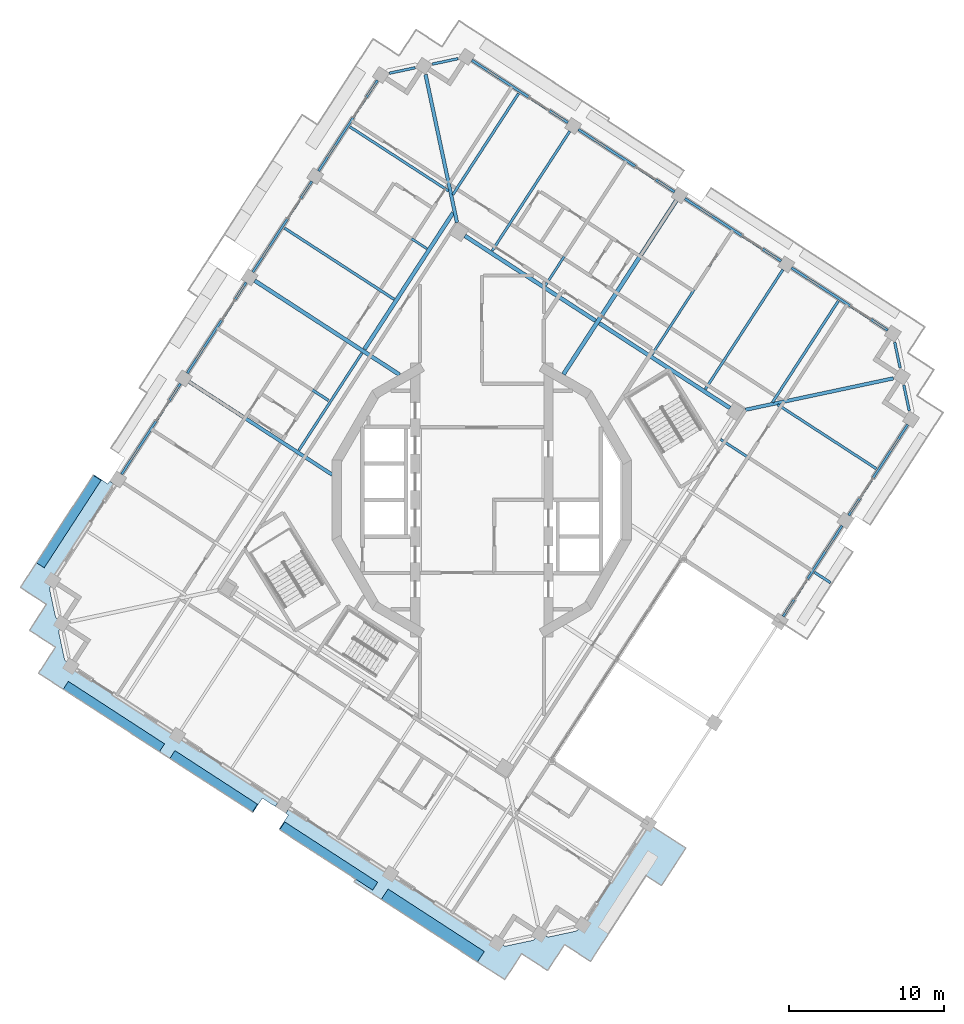
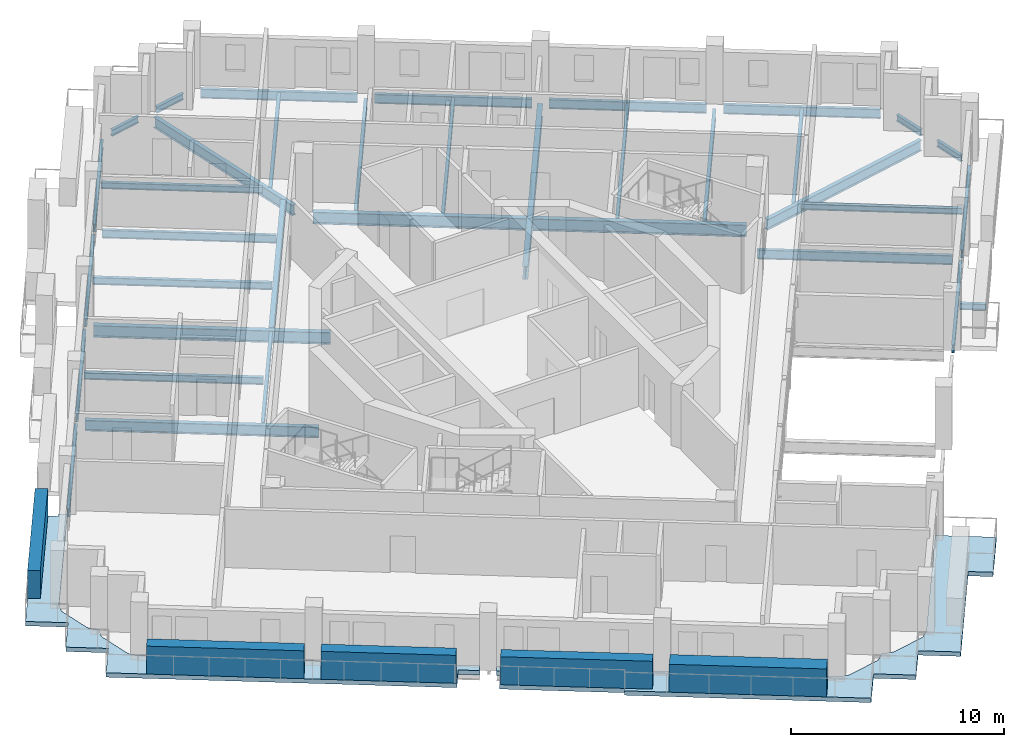
# One storey, part 3 of 17: 36 beams, 5 plates, 2 slabs.
"""IFC4 building model written with IfcOpenShell, lengths in metres."""

from ifc_helpers import new_model, si_unit, direction, frame, origin, origin_2d, place, context, subcontext, project, spatial, polyline, rectangle, i_section, outline, extrude, material, layer, layer_set, material_profile, profile_set, type_object, element, save


model = new_model("IFC4")

# Units and contexts
model_context = context("Model", 3, precision=1e-05, world=origin(), true_north=direction((0.0, 1.0)))
body_context = subcontext(model_context, "Body", "Model", "MODEL_VIEW")
ifc_project = project(units=[si_unit("LENGTHUNIT", "METRE"), si_unit("AREAUNIT", "SQUARE_METRE"), si_unit("VOLUMEUNIT", "CUBIC_METRE"), si_unit("PLANEANGLEUNIT", "RADIAN"), si_unit("MASSUNIT", "GRAM", prefix="KILO")], contexts=[model_context])

# Site, building, storey
site_placement = place(None, origin())
site = spatial("IfcSite", under=ifc_project, at=site_placement, CompositionType="ELEMENT")
building_placement = place(site_placement, origin())
building = spatial("IfcBuilding", under=site, at=building_placement, Name="Cantera Rosa Tower", CompositionType="ELEMENT")
storey_placement = place(building_placement, frame((0.0, 0.0, 257.699951171875)))
storey = spatial("IfcBuildingStorey", under=building, at=storey_placement, Name="L57", CompositionType="ELEMENT", Elevation=257.699951171875)

# Beams
ifc_material_1 = material(Name="Steel ASTM A992 (Fy 345 MPa)", Category="steel")
ifc_material_profile_1 = material_profile(ifc_material_1, i_section(OverallWidth=0.154052734375, OverallDepth=0.4599609375, WebThickness=0.009033203125, FlangeThickness=0.015380859375, FilletRadius=0.01025390625, at=origin_2d()), Name="W460X68")
ifc_profile_set_1 = profile_set([ifc_material_profile_1], Name="Steel ASTM A992 (Fy 345 MPa)")
beam_type_1 = type_object("IfcBeamType", Name="STEEL BEAM W460X68", PredefinedType="BEAM", material=ifc_profile_set_1)
beam_1_placement = place(storey_placement, frame((-10.41748046875, 20.68017578125, -0.47998046875), z_axis=(0.838672777751, -0.544635632198, 0.0), x_axis=(0.544635632198, 0.838672777751, 0.0)))
element("IfcBeam", 1, at=beam_1_placement, inside=storey, type_object=beam_type_1, Name="G-Z5-04 L57", PredefinedType="BEAM", context=body_context, shape_type="SweptSolid", body=[
    extrude(i_section(OverallWidth=0.154052734375, OverallDepth=0.4599609375, WebThickness=0.009033203125, FlangeThickness=0.015380859375, FilletRadius=0.01025390625, at=origin_2d()), origin(), (0.0, 0.0, 1.0), 8.2001953125),
])
ifc_material_2 = material(Name="Steel ASTM A992 (Fy 345 MPa)", Category="steel")
ifc_material_profile_2 = material_profile(ifc_material_2, i_section(OverallWidth=0.166015625, OverallDepth=0.528076171875, WebThickness=0.009765625, FlangeThickness=0.013671875, FilletRadius=0.0126953125, at=origin_2d()), Name="W530X74")
ifc_profile_set_2 = profile_set([ifc_material_profile_2], Name="Steel ASTM A992 (Fy 345 MPa)")
beam_type_2 = type_object("IfcBeamType", Name="STEEL BEAM W530X74", PredefinedType="BEAM", material=ifc_profile_set_2)
beam_2_placement = place(storey_placement, frame((19.430908203125, 14.865234375, -0.513916015625), z_axis=(-0.544634776066, -0.838673333724, 0.0), x_axis=(0.838673333724, -0.544634776066, 0.0)))
element("IfcBeam", 2, at=beam_2_placement, inside=storey, type_object=beam_type_2, Name="G-Z5-01 L57", PredefinedType="BEAM", context=body_context, shape_type="SweptSolid", body=[
    extrude(i_section(OverallWidth=0.166015625, OverallDepth=0.528076171875, WebThickness=0.009765625, FlangeThickness=0.013671875, FilletRadius=0.0126953125, at=origin_2d()), origin(), (0.0, 0.0, 1.0), 9.19970703125),
])
beam_3_placement = place(storey_placement, frame((5.6767578125, 23.79736328125, -0.513916015625), z_axis=(-0.544622654601, -0.838681205283, 0.0), x_axis=(0.838681205283, -0.544622654601, 0.0)))
element("IfcBeam", 3, at=beam_3_placement, inside=storey, type_object=beam_type_2, Name="G-Z5-03 L57", PredefinedType="BEAM", context=body_context, shape_type="SweptSolid", body=[
    extrude(i_section(OverallWidth=0.166015625, OverallDepth=0.528076171875, WebThickness=0.009765625, FlangeThickness=0.013671875, FilletRadius=0.0126953125, at=origin_2d()), origin(), (0.0, 0.0, 1.0), 9.199951171875),
])
beam_4_placement = place(storey_placement, frame((23.12939453125, -1.10546875, -0.513916015625), z_axis=(-0.838669083999, 0.544641320086, 0.0), x_axis=(-0.544641320086, -0.838669083999, 0.0)))
element("IfcBeam", 4, at=beam_4_placement, inside=storey, type_object=beam_type_2, Name="G-Z5-11 L57", PredefinedType="BEAM", context=body_context, shape_type="SweptSolid", body=[
    extrude(i_section(OverallWidth=0.166015625, OverallDepth=0.528076171875, WebThickness=0.009765625, FlangeThickness=0.013671875, FilletRadius=0.0126953125, at=origin_2d()), origin(), (0.0, 0.0, 1.0), 9.2001953125),
])
beam_5_placement = place(storey_placement, frame((-11.807373046875, 3.20849609375, -0.513916015625), z_axis=(0.544626910795, 0.838678441381, 0.0), x_axis=(-0.838678441381, 0.544626910795, 0.0)))
element("IfcBeam", 5, at=beam_5_placement, inside=storey, type_object=beam_type_2, Name="RB-Z5-02 L57", PredefinedType="BEAM", context=body_context, shape_type="SweptSolid", body=[
    extrude(i_section(OverallWidth=0.166015625, OverallDepth=0.528076171875, WebThickness=0.009765625, FlangeThickness=0.013671875, FilletRadius=0.0126953125, at=origin_2d()), origin(), (0.0, 0.0, 1.0), 7.479736328125),
])
ifc_material_3 = material(Name="Steel ASTM A992 (Fy 345 MPa)", Category="steel")
ifc_material_profile_3 = material_profile(ifc_material_3, i_section(OverallWidth=0.22802734375, OverallDepth=0.60205078125, WebThickness=0.010498046875, FlangeThickness=0.014892578125, FilletRadius=0.0126953125, at=origin_2d()), Name="W610X101")
ifc_profile_set_3 = profile_set([ifc_material_profile_3], Name="Steel ASTM A992 (Fy 345 MPa)")
beam_type_3 = type_object("IfcBeamType", Name="STEEL BEAM W610X101", PredefinedType="BEAM", material=ifc_profile_set_3)
for number, where, z_axis, x_axis, name in (
    (6, (-3.63134765625, 27.45751953125, -0.551025390625), (0.20790902572, -0.978148167214, 0.0), (0.978148167214, 0.20790902572, 0.0), "CB-Z5-01 L57"),
    (7, (26.560791015625, 7.8505859375, -0.551025390625), (-0.978148167214, -0.20790902572, 0.0), (0.20790902572, -0.978148167214, 0.0), "CB-Z5-04 L57"),
):
    element("IfcBeam", number, at=place(storey_placement, frame(where, z_axis=z_axis, x_axis=x_axis)), inside=storey, type_object=beam_type_3, Name=name, PredefinedType="BEAM", context=body_context, shape_type="SweptSolid", body=[
        extrude(i_section(OverallWidth=0.22802734375, OverallDepth=0.60205078125, WebThickness=0.010498046875, FlangeThickness=0.014892578125, FilletRadius=0.0126953125, at=origin_2d()), origin(), (0.0, 0.0, 1.0), 9.758056640625),
    ])
ifc_material_4 = material(Name="Steel ASTM A992 (Fy 345 MPa)", Category="steel")
ifc_material_profile_4 = material_profile(ifc_material_4, i_section(OverallWidth=0.22900390625, OverallDepth=0.612060546875, WebThickness=0.011962890625, FlangeThickness=0.01953125, FilletRadius=0.0126953125, at=origin_2d()), Name="W610X125")
ifc_profile_set_4 = profile_set([ifc_material_profile_4], Name="Steel ASTM A992 (Fy 345 MPa)")
beam_type_4 = type_object("IfcBeamType", Name="STEEL BEAM W610X125", PredefinedType="BEAM", material=ifc_profile_set_4)
beam_6_placement = place(storey_placement, frame((-18.89208984375, 7.63037109375, -0.555908203125), z_axis=(0.838673569952, -0.544634412302, 0.0), x_axis=(0.544634412302, 0.838673569952, 0.0)))
element("IfcBeam", 8, at=beam_6_placement, inside=storey, type_object=beam_type_4, Name="G-Z5-06 L57", PredefinedType="BEAM", context=body_context, shape_type="SweptSolid", body=[
    extrude(i_section(OverallWidth=0.22900390625, OverallDepth=0.612060546875, WebThickness=0.011962890625, FlangeThickness=0.01953125, FilletRadius=0.0126953125, at=origin_2d()), origin(), (0.0, 0.0, 1.0), 11.009033203125),
])
ifc_material_5 = material(Name="Steel ASTM A992 (Fy 345 MPa)", Category="steel")
ifc_material_profile_5 = material_profile(ifc_material_5, i_section(OverallWidth=0.25390625, OverallDepth=0.677978515625, WebThickness=0.01171875, FlangeThickness=0.016357421875, FilletRadius=0.01513671875, at=origin_2d()), Name="W690X125")
ifc_profile_set_5 = profile_set([ifc_material_profile_5], Name="Steel ASTM A992 (Fy 345 MPa)")
beam_type_5 = type_object("IfcBeamType", Name="STEEL BEAM W690X125", PredefinedType="BEAM", material=ifc_profile_set_5)
beam_7_placement = place(storey_placement, frame((-14.65478515625, 14.1552734375, -0.5888671875), z_axis=(0.838661833747, -0.544652484265, 0.0), x_axis=(0.544652484265, 0.838661833747, 0.0)))
element("IfcBeam", 9, at=beam_7_placement, inside=storey, type_object=beam_type_5, Name="G-Z5-05 L57", PredefinedType="BEAM", context=body_context, shape_type="SweptSolid", body=[
    extrude(i_section(OverallWidth=0.25390625, OverallDepth=0.677978515625, WebThickness=0.01171875, FlangeThickness=0.016357421875, FilletRadius=0.01513671875, at=origin_2d()), origin(), (0.0, 0.0, 1.0), 11.141357421875),
])
beam_8_placement = place(storey_placement, frame((-7.570068359375, 9.733154296875, -0.5888671875), z_axis=(0.544635575355, 0.838672814665, 0.0), x_axis=(-0.838672814665, 0.544635575355, 0.0)))
element("IfcBeam", 10, at=beam_8_placement, inside=storey, type_object=beam_type_5, Name="RB-Z5-03 L57", PredefinedType="BEAM", context=body_context, shape_type="SweptSolid", body=[
    extrude(i_section(OverallWidth=0.25390625, OverallDepth=0.677978515625, WebThickness=0.01171875, FlangeThickness=0.016357421875, FilletRadius=0.01513671875, at=origin_2d()), origin(), (0.0, 0.0, 1.0), 10.510009765625),
])
beam_9_placement = place(storey_placement, frame((16.01611328125, 5.9345703125, -0.5888671875), z_axis=(-0.838672207367, 0.544636510519, 0.0), x_axis=(-0.544636510519, -0.838672207367, 0.0)))
element("IfcBeam", 11, at=beam_9_placement, inside=storey, type_object=beam_type_5, Name="RB-Z5-07 L57", PredefinedType="BEAM", context=body_context, shape_type="SweptSolid", body=[
    extrude(i_section(OverallWidth=0.25390625, OverallDepth=0.677978515625, WebThickness=0.01171875, FlangeThickness=0.016357421875, FilletRadius=0.01513671875, at=origin_2d()), origin(), (0.0, 0.0, 1.0), 10.050048828125),
])
beam_10_placement = place(storey_placement, frame((7.335693359375, 11.571533203125, -0.5888671875), z_axis=(-0.838665001306, 0.544647606792, 0.0), x_axis=(-0.544647606792, -0.838665001306, 0.0)))
element("IfcBeam", 12, at=beam_10_placement, inside=storey, type_object=beam_type_5, Name="RB-Z5-08 L57", PredefinedType="BEAM", context=body_context, shape_type="SweptSolid", body=[
    extrude(i_section(OverallWidth=0.25390625, OverallDepth=0.677978515625, WebThickness=0.01171875, FlangeThickness=0.016357421875, FilletRadius=0.01513671875, at=origin_2d()), origin(), (0.0, 0.0, 1.0), 10.0498046875),
])
ifc_material_6 = material(Name="Steel ASTM A992 (Fy 345 MPa)", Category="steel")
ifc_material_profile_6 = material_profile(ifc_material_6, i_section(OverallWidth=0.26708984375, OverallDepth=0.75390625, WebThickness=0.01318359375, FlangeThickness=0.01708984375, FilletRadius=0.0166015625, at=origin_2d()), Name="W760X147")
ifc_profile_set_6 = profile_set([ifc_material_profile_6], Name="Steel ASTM A992 (Fy 345 MPa)")
beam_type_6 = type_object("IfcBeamType", Name="STEEL BEAM W760X147", PredefinedType="BEAM", material=ifc_profile_set_6)
beam_11_placement = place(storey_placement, frame((12.553955078125, 19.331298828125, -0.626953125), z_axis=(-0.54464061985, -0.838669538739, 0.0), x_axis=(0.838669538739, -0.54464061985, 0.0)))
element("IfcBeam", 13, at=beam_11_placement, inside=storey, type_object=beam_type_6, Name="G-Z5-02 L57", PredefinedType="BEAM", context=body_context, shape_type="SweptSolid", body=[
    extrude(i_section(OverallWidth=0.26708984375, OverallDepth=0.75390625, WebThickness=0.01318359375, FlangeThickness=0.01708984375, FilletRadius=0.0166015625, at=origin_2d()), origin(), (0.0, 0.0, 1.0), 13.37744140625),
])
ifc_material_7 = material(Name="Steel ASTM A992 (Fy 345 MPa)", Category="steel")
ifc_material_profile_7 = material_profile(ifc_material_7, i_section(OverallWidth=0.1708984375, OverallDepth=0.35595703125, WebThickness=0.00732421875, FlangeThickness=0.01171875, FilletRadius=0.010009765625, at=origin_2d()), Name="W360X51")
ifc_profile_set_7 = profile_set([ifc_material_profile_7], Name="Steel ASTM A992 (Fy 345 MPa)")
beam_type_7 = type_object("IfcBeamType", Name="STEEL JOIST W360X51", PredefinedType="JOIST", material=ifc_profile_set_7)
for number, where, z_axis, x_axis, name in (
    (14, (23.005859375, 12.842041015625, -0.427978515625), (-0.544641754757, -0.838668801718, 0.0), (0.838668801718, -0.544641754757, 0.0), "B-Z5-01 L57"),
    (15, (2.37451171875, 26.239990234375, -0.427978515625), (-0.54465605183, -0.838659516851, 0.0), (0.838659516851, -0.54465605183, 0.0), "B-Z5-04 L57"),
):
    element("IfcBeam", number, at=place(storey_placement, frame(where, z_axis=z_axis, x_axis=x_axis)), inside=storey, type_object=beam_type_7, Name=name, PredefinedType="JOIST", context=body_context, shape_type="SweptSolid", body=[
        extrude(i_section(OverallWidth=0.1708984375, OverallDepth=0.35595703125, WebThickness=0.00732421875, FlangeThickness=0.01171875, FilletRadius=0.010009765625, at=origin_2d()), origin(), (0.0, 0.0, 1.0), 7.800048828125),
    ])
beam_12_placement = place(storey_placement, frame((-8.508544921875, 24.07861328125, -0.427978515625), z_axis=(0.838670629323, -0.544638940502, 0.0), x_axis=(0.544638940502, 0.838670629323, 0.0)))
element("IfcBeam", 16, at=beam_12_placement, inside=storey, type_object=beam_type_7, Name="B-Z5-05 L57", PredefinedType="JOIST", context=body_context, shape_type="SweptSolid", body=[
    extrude(i_section(OverallWidth=0.1708984375, OverallDepth=0.35595703125, WebThickness=0.00732421875, FlangeThickness=0.01171875, FilletRadius=0.010009765625, at=origin_2d()), origin(), (0.0, 0.0, 1.0), 7.58984375),
])
beam_13_placement = place(storey_placement, frame((25.457763671875, 2.020751953125, -0.427978515625), z_axis=(-0.838680170462, 0.54462424815, 0.0), x_axis=(-0.54462424815, -0.838680170462, 0.0)))
element("IfcBeam", 17, at=beam_13_placement, inside=storey, type_object=beam_type_7, Name="B-Z5-14 L57", PredefinedType="JOIST", context=body_context, shape_type="SweptSolid", body=[
    extrude(i_section(OverallWidth=0.1708984375, OverallDepth=0.35595703125, WebThickness=0.00732421875, FlangeThickness=0.01171875, FilletRadius=0.010009765625, at=origin_2d()), origin(), (0.0, 0.0, 1.0), 7.590087890625),
])
beam_14_placement = place(storey_placement, frame((21.455078125, -4.656494140625, -0.427978515625), z_axis=(0.838679658069, -0.544625037197, 0.0), x_axis=(0.544625037197, 0.838679658069, 0.0)))
element("IfcBeam", 18, at=beam_14_placement, inside=storey, type_object=beam_type_7, Name="BS-Z5-02 L57", PredefinedType="JOIST", context=body_context, shape_type="SweptSolid", body=[
    extrude(i_section(OverallWidth=0.1708984375, OverallDepth=0.35595703125, WebThickness=0.00732421875, FlangeThickness=0.01171875, FilletRadius=0.010009765625, at=origin_2d()), origin(), (0.0, 0.0, 1.0), 1.251953125),
])
ifc_material_8 = material(Name="Steel ASTM A992 (Fy 345 MPa)", Category="steel")
ifc_material_profile_8 = material_profile(ifc_material_8, i_section(OverallWidth=0.177978515625, OverallDepth=0.406005859375, WebThickness=0.0078125, FlangeThickness=0.0126953125, FilletRadius=0.01025390625, at=origin_2d()), Name="W410X60")
ifc_profile_set_8 = profile_set([ifc_material_profile_8], Name="Steel ASTM A992 (Fy 345 MPa)")
beam_type_8 = type_object("IfcBeamType", Name="STEEL JOIST W410X60", PredefinedType="JOIST", material=ifc_profile_set_8)
beam_15_placement = place(storey_placement, frame((-12.745849609375, 17.5537109375, -0.452880859375), z_axis=(0.838683812595, -0.5446186395, 0.0), x_axis=(0.5446186395, 0.838683812595, 0.0)))
element("IfcBeam", 19, at=beam_15_placement, inside=storey, type_object=beam_type_8, Name="B-Z5-06 L57", PredefinedType="JOIST", context=body_context, shape_type="SweptSolid", body=[
    extrude(i_section(OverallWidth=0.177978515625, OverallDepth=0.406005859375, WebThickness=0.0078125, FlangeThickness=0.0126953125, FilletRadius=0.01025390625, at=origin_2d()), origin(), (0.0, 0.0, 1.0), 8.449951171875),
])
beam_16_placement = place(storey_placement, frame((-16.983154296875, 11.029052734375, -0.452880859375), z_axis=(0.838670615657, -0.544638961546, 0.0), x_axis=(0.544638961546, 0.838670615657, 0.0)))
element("IfcBeam", 20, at=beam_16_placement, inside=storey, type_object=beam_type_8, Name="B-Z5-07 L57", PredefinedType="JOIST", context=body_context, shape_type="SweptSolid", body=[
    extrude(i_section(OverallWidth=0.177978515625, OverallDepth=0.406005859375, WebThickness=0.0078125, FlangeThickness=0.0126953125, FilletRadius=0.01025390625, at=origin_2d()), origin(), (0.0, 0.0, 1.0), 8.4501953125),
])
ifc_material_9 = material(Name="Steel ASTM A992 (Fy 345 MPa)", Category="steel")
ifc_material_profile_9 = material_profile(ifc_material_9, i_section(OverallWidth=0.154052734375, OverallDepth=0.4599609375, WebThickness=0.009033203125, FlangeThickness=0.015380859375, FilletRadius=0.01025390625, at=origin_2d()), Name="W460X68")
ifc_profile_set_9 = profile_set([ifc_material_profile_9], Name="Steel ASTM A992 (Fy 345 MPa)")
beam_type_9 = type_object("IfcBeamType", Name="STEEL JOIST W460X68", PredefinedType="JOIST", material=ifc_profile_set_9)
beam_17_placement = place(storey_placement, frame((16.128662109375, 17.30810546875, -0.47998046875), z_axis=(-0.544644146603, -0.838667248419, 0.0), x_axis=(0.838667248419, -0.544644146603, 0.0)))
element("IfcBeam", 21, at=beam_17_placement, inside=storey, type_object=beam_type_9, Name="B-Z5-02 L57", PredefinedType="JOIST", context=body_context, shape_type="SweptSolid", body=[
    extrude(i_section(OverallWidth=0.154052734375, OverallDepth=0.4599609375, WebThickness=0.009033203125, FlangeThickness=0.015380859375, FilletRadius=0.01025390625, at=origin_2d()), origin(), (0.0, 0.0, 1.0), 9.4501953125),
])
beam_18_placement = place(storey_placement, frame((9.25146484375, 21.77392578125, -0.47998046875), z_axis=(-0.544637775879, -0.838671385636, 0.0), x_axis=(0.838671385636, -0.544637775879, 0.0)))
element("IfcBeam", 22, at=beam_18_placement, inside=storey, type_object=beam_type_9, Name="B-Z5-03 L57", PredefinedType="JOIST", context=body_context, shape_type="SweptSolid", body=[
    extrude(i_section(OverallWidth=0.154052734375, OverallDepth=0.4599609375, WebThickness=0.009033203125, FlangeThickness=0.015380859375, FilletRadius=0.01025390625, at=origin_2d()), origin(), (0.0, 0.0, 1.0), 9.44970703125),
])
ifc_material_10 = material(Name="Steel ASTM A992 (Fy 345 MPa)", Category="steel")
ifc_material_profile_10 = material_profile(ifc_material_10, i_section(OverallWidth=0.1708984375, OverallDepth=0.35595703125, WebThickness=0.00732421875, FlangeThickness=0.01171875, FilletRadius=0.010009765625, at=origin_2d()), Name="W360X51")
ifc_profile_set_10 = profile_set([ifc_material_profile_10], Name="Steel ASTM A992 (Fy 345 MPa)")
beam_type_10 = type_object("IfcBeamType", Name="STEEL SPANDREL BEAM W360X51", PredefinedType="SPANDREL", material=ifc_profile_set_10)
for number, where, z_axis, x_axis, name in (
    (23, (-1.53564453125, 28.481201171875, -0.427978515625), (-0.978158850918, -0.20785875582, 0.0), (0.20785875582, -0.978158850918, 0.0), "EB-Z5-05 L57"),
    (24, (-4.30224609375, 27.893310546875, -0.427978515625), (-0.978129595322, -0.207996381593, 0.0), (0.207996381593, -0.978129595322, 0.0), "EB-Z5-06 L57"),
):
    element("IfcBeam", number, at=place(storey_placement, frame(where, z_axis=z_axis, x_axis=x_axis)), inside=storey, type_object=beam_type_10, Name=name, PredefinedType="SPANDREL", context=body_context, shape_type="SweptSolid", body=[
        extrude(i_section(OverallWidth=0.1708984375, OverallDepth=0.35595703125, WebThickness=0.00732421875, FlangeThickness=0.01171875, FilletRadius=0.010009765625, at=origin_2d()), origin(), (0.0, 0.0, 1.0), 1.697265625),
    ])
for number, where, z_axis, x_axis, name in (
    (25, (27.58447265625, 5.7548828125, -0.427978515625), (-0.207888006632, 0.978152634663, 0.0), (-0.978152634663, -0.207888006632, 0.0), "EB-Z5-25 L57"),
    (26, (26.996337890625, 8.521484375, -0.427978515625), (-0.207888006632, 0.978152634663, 0.0), (-0.978152634663, -0.207888006632, 0.0), "EB-Z5-26 L57"),
):
    element("IfcBeam", number, at=place(storey_placement, frame(where, z_axis=z_axis, x_axis=x_axis)), inside=storey, type_object=beam_type_10, Name=name, PredefinedType="SPANDREL", context=body_context, shape_type="SweptSolid", body=[
        extrude(i_section(OverallWidth=0.1708984375, OverallDepth=0.35595703125, WebThickness=0.00732421875, FlangeThickness=0.01171875, FilletRadius=0.010009765625, at=origin_2d()), origin(), (0.0, 0.0, 1.0), 1.697021484375),
    ])
ifc_material_11 = material(Name="Steel ASTM A992 (Fy 345 MPa)", Category="steel")
ifc_material_profile_11 = material_profile(ifc_material_11, i_section(OverallWidth=0.154052734375, OverallDepth=0.4599609375, WebThickness=0.009033203125, FlangeThickness=0.015380859375, FilletRadius=0.01025390625, at=origin_2d()), Name="W460X68")
ifc_profile_set_11 = profile_set([ifc_material_profile_11], Name="Steel ASTM A992 (Fy 345 MPa)")
beam_type_11 = type_object("IfcBeamType", Name="STEEL SPANDREL BEAM W460X68", PredefinedType="SPANDREL", material=ifc_profile_set_11)
for number, where, z_axis, x_axis, name in (
    (27, (-6.7333984375, 27.08740234375, -0.47998046875), (-0.544651451949, -0.838662504164, 0.0), (0.838662504164, -0.544651451949, 0.0), "EB-Z5-07 L57"),
    (28, (-10.970703125, 20.5625, -0.47998046875), (-0.544651451949, -0.838662504164, 0.0), (0.838662504164, -0.544651451949, 0.0), "EB-Z5-08 L57"),
    (29, (-15.2080078125, 14.03759765625, -0.47998046875), (-0.544651451949, -0.838662504164, 0.0), (0.838662504164, -0.544651451949, 0.0), "EB-Z5-09 L57"),
):
    element("IfcBeam", number, at=place(storey_placement, frame(where, z_axis=z_axis, x_axis=x_axis)), inside=storey, type_object=beam_type_11, Name=name, PredefinedType="SPANDREL", context=body_context, shape_type="SweptSolid", body=[
        extrude(i_section(OverallWidth=0.154052734375, OverallDepth=0.4599609375, WebThickness=0.009033203125, FlangeThickness=0.015380859375, FilletRadius=0.01025390625, at=origin_2d()), origin(), (0.0, 0.0, 1.0), 6.980224609375),
    ])
for number, where, z_axis, x_axis, name in (
    (30, (-19.4453125, 7.5126953125, -0.47998046875), (-0.544667428764, -0.838652128146, 0.0), (0.838652128146, -0.544667428764, 0.0), "EB-Z5-10 L57"),
    (31, (19.4453125, -7.5126953125, -0.47998046875), (0.544667428764, 0.838652128146, 0.0), (-0.838652128146, 0.544667428764, 0.0), "EB-Z5-23 L57"),
    (32, (23.6826171875, -0.98779296875, -0.47998046875), (0.544667428764, 0.838652128146, 0.0), (-0.838652128146, 0.544667428764, 0.0), "EB-Z5-24 L57"),
):
    element("IfcBeam", number, at=place(storey_placement, frame(where, z_axis=z_axis, x_axis=x_axis)), inside=storey, type_object=beam_type_11, Name=name, PredefinedType="SPANDREL", context=body_context, shape_type="SweptSolid", body=[
        extrude(i_section(OverallWidth=0.154052734375, OverallDepth=0.4599609375, WebThickness=0.009033203125, FlangeThickness=0.015380859375, FilletRadius=0.01025390625, at=origin_2d()), origin(), (0.0, 0.0, 1.0), 6.97998046875),
    ])
ifc_material_12 = material(Name="Steel ASTM A992 (Fy 345 MPa)", Category="steel")
ifc_material_profile_12 = material_profile(ifc_material_12, i_section(OverallWidth=0.166015625, OverallDepth=0.528076171875, WebThickness=0.009765625, FlangeThickness=0.013671875, FilletRadius=0.0126953125, at=origin_2d()), Name="W530X74")
ifc_profile_set_12 = profile_set([ifc_material_profile_12], Name="Steel ASTM A992 (Fy 345 MPa)")
beam_type_12 = type_object("IfcBeamType", Name="STEEL SPANDREL BEAM W530X74", PredefinedType="SPANDREL", material=ifc_profile_set_12)
beam_19_placement = place(storey_placement, frame((26.1904296875, 10.95263671875, -0.513916015625), z_axis=(-0.838669679097, 0.544640403719, 0.0), x_axis=(-0.544640403719, -0.838669679097, 0.0)))
element("IfcBeam", 33, at=beam_19_placement, inside=storey, type_object=beam_type_12, Name="EB-Z5-01 L57", PredefinedType="SPANDREL", context=body_context, shape_type="SweptSolid", body=[
    extrude(i_section(OverallWidth=0.166015625, OverallDepth=0.528076171875, WebThickness=0.009765625, FlangeThickness=0.013671875, FilletRadius=0.0126953125, at=origin_2d()), origin(), (0.0, 0.0, 1.0), 7.39990234375),
])
beam_20_placement = place(storey_placement, frame((19.3134765625, 15.418701171875, -0.513916015625), z_axis=(-0.838679465365, 0.544625333946, 0.0), x_axis=(-0.544625333946, -0.838679465365, 0.0)))
element("IfcBeam", 34, at=beam_20_placement, inside=storey, type_object=beam_type_12, Name="EB-Z5-02 L57", PredefinedType="SPANDREL", context=body_context, shape_type="SweptSolid", body=[
    extrude(i_section(OverallWidth=0.166015625, OverallDepth=0.528076171875, WebThickness=0.009765625, FlangeThickness=0.013671875, FilletRadius=0.0126953125, at=origin_2d()), origin(), (0.0, 0.0, 1.0), 7.400146484375),
])
beam_21_placement = place(storey_placement, frame((12.436279296875, 19.884765625, -0.513916015625), z_axis=(-0.838669679097, 0.544640403719, 0.0), x_axis=(-0.544640403719, -0.838669679097, 0.0)))
element("IfcBeam", 35, at=beam_21_placement, inside=storey, type_object=beam_type_12, Name="EB-Z5-03 L57", PredefinedType="SPANDREL", context=body_context, shape_type="SweptSolid", body=[
    extrude(i_section(OverallWidth=0.166015625, OverallDepth=0.528076171875, WebThickness=0.009765625, FlangeThickness=0.013671875, FilletRadius=0.0126953125, at=origin_2d()), origin(), (0.0, 0.0, 1.0), 7.39990234375),
])
beam_22_placement = place(storey_placement, frame((5.559326171875, 24.350830078125, -0.513916015625), z_axis=(-0.838679465365, 0.544625333946, 0.0), x_axis=(-0.544625333946, -0.838679465365, 0.0)))
element("IfcBeam", 36, at=beam_22_placement, inside=storey, type_object=beam_type_12, Name="EB-Z5-04 L57", PredefinedType="SPANDREL", context=body_context, shape_type="SweptSolid", body=[
    extrude(i_section(OverallWidth=0.166015625, OverallDepth=0.528076171875, WebThickness=0.009765625, FlangeThickness=0.013671875, FilletRadius=0.0126953125, at=origin_2d()), origin(), (0.0, 0.0, 1.0), 7.400146484375),
])

# Slabs
ifc_material_13 = material(Name="Concrete C35/45", Category="concrete")
ifc_layer = layer(ifc_material_13, 0.25)
ifc_layer_set = layer_set([ifc_layer], Name="LOGGIA SLAB 250 C35/45")
slab_type = type_object("IfcSlabType", Name="LOGGIA SLAB 250 C35/45", PredefinedType="FLOOR", material=ifc_layer_set)
slab_1_placement = place(storey_placement, frame((0.0, 0.0, -0.25)))
element("IfcSlab", 37, at=slab_1_placement, inside=storey, type_object=slab_type, Name="LOGGIA SLAB L57 1", PredefinedType="FLOOR", context=body_context, shape_type="SweptSolid", body=[
    extrude(outline(polyline([(-21.723876953125, -15.641845703125), (-27.343017578125, -11.992919921875), (-28.600830078125, -11.17578125), (-27.783935546875, -9.917724609375), (-27.51171875, -9.49853515625), (-27.930908203125, -9.22607421875), (-29.18896484375, -8.4091796875), (-28.3720703125, -7.151123046875), (-28.099609375, -6.731689453125), (-28.51904296875, -6.45947265625), (-29.777099609375, -5.642578125), (-28.960205078125, -4.384521484375), (-25.540771484375, 0.880859375), (-25.542236328125, 0.8818359375), (-25.051025390625, 1.63818359375), (-24.127197265625, 1.0380859375), (-24.01806640625, 1.205810546875), (-23.6826171875, 0.98779296875), (-27.13330078125, -4.32568359375), (-27.7021484375, -5.201416015625), (-27.863037109375, -5.643798828125), (-27.872802734375, -5.67138671875), (-27.87939453125, -5.7001953125), (-27.88330078125, -5.729248046875), (-27.884521484375, -5.7587890625), (-27.882568359375, -5.7880859375), (-27.8779296875, -5.817138671875), (-27.525146484375, -7.477294921875), (-27.517578125, -7.505615234375), (-27.50732421875, -7.533203125), (-27.494384765625, -7.559814453125), (-27.47900390625, -7.584716796875), (-27.461181640625, -7.608154296875), (-27.44091796875, -7.629638671875), (-27.114013671875, -7.968017578125), (-27.275146484375, -8.410400390625), (-27.28466796875, -8.43798828125), (-27.29150390625, -8.466796875), (-27.29541015625, -8.49609375), (-27.29638671875, -8.525390625), (-27.294677734375, -8.5546875), (-27.289794921875, -8.583740234375), (-26.93701171875, -10.243896484375), (-26.929443359375, -10.272216796875), (-26.919189453125, -10.2998046875), (-26.90625, -10.326416015625), (-26.890869140625, -10.351318359375), (-26.873046875, -10.374755859375), (-26.852783203125, -10.396240234375), (-26.52587890625, -10.734619140625), (-25.650146484375, -11.303466796875), (-13.107421875, -19.448974609375), (-13.3251953125, -19.784423828125), (-14.163818359375, -19.23974609375), (-14.762939453125, -20.162353515625), (-14.8466796875, -20.10791015625), (-19.207763671875, -17.275634765625), (-21.723876953125, -15.641845703125)])), origin(), (0.0, 0.0, 1.0), 0.25),
])
slab_2_placement = place(storey_placement, frame((0.0, 0.0, -0.25)))
element("IfcSlab", 38, at=slab_2_placement, inside=storey, type_object=slab_type, Name="LOGGIA SLAB L57 3", PredefinedType="FLOOR", context=body_context, shape_type="SweptSolid", body=[
    extrude(outline(polyline([(7.94140625, -28.3486328125), (7.015380859375, -29.7744140625), (5.58984375, -28.848388671875), (5.338134765625, -28.68505859375), (5.1748046875, -28.936767578125), (4.248779296875, -30.362548828125), (2.822998046875, -29.4365234375), (2.571533203125, -29.273193359375), (2.408203125, -29.52490234375), (1.482421875, -30.950439453125), (0.056396484375, -30.024658203125), (-8.246337890625, -24.6328125), (-8.137451171875, -24.465087890625), (-12.330810546875, -21.74169921875), (-13.08544921875, -21.251708984375), (-12.486328125, -20.3291015625), (-12.654296875, -20.22021484375), (-12.436279296875, -19.884765625), (0.106689453125, -28.030029296875), (0.982421875, -28.598876953125), (1.424560546875, -28.760009765625), (1.452392578125, -28.76953125), (1.481201171875, -28.7763671875), (1.51025390625, -28.7802734375), (1.539794921875, -28.78125), (1.569091796875, -28.779296875), (1.59814453125, -28.774658203125), (3.258056640625, -28.421875), (3.28662109375, -28.414306640625), (3.314208984375, -28.404052734375), (3.340576171875, -28.39111328125), (3.365478515625, -28.375732421875), (3.388916015625, -28.35791015625), (3.41064453125, -28.337890625), (3.7490234375, -28.0107421875), (4.191162109375, -28.171875), (4.218994140625, -28.181396484375), (4.247802734375, -28.188232421875), (4.27685546875, -28.192138671875), (4.306396484375, -28.193115234375), (4.335693359375, -28.19140625), (4.36474609375, -28.186767578125), (6.024658203125, -27.833740234375), (6.05322265625, -27.826416015625), (6.080810546875, -27.81591796875), (6.107177734375, -27.802978515625), (6.132080078125, -27.78759765625), (6.15576171875, -27.769775390625), (6.17724609375, -27.749755859375), (6.515625, -27.4228515625), (7.08447265625, -26.547119140625), (10.7529296875, -20.89794921875), (13.1669921875, -22.4658203125), (11.599365234375, -24.8798828125), (10.61083984375, -24.238037109375), (7.94140625, -28.3486328125)])), origin(), (0.0, 0.0, 1.0), 0.25),
])

# Plates
ifc_material_14 = material(Name="Cantera stone planter with soil", Category="masonry")
plate_type_1 = type_object("IfcPlateType", Name="PLANTER 600", PredefinedType="USERDEFINED", material=ifc_material_14)
plate_1_placement = place(storey_placement, frame((-26.657958984375, -1.390380859375, 0.0), z_axis=(0.0, 0.0, 1.0), x_axis=(-0.544639035015, -0.838670567945, 0.0)))
element("IfcPlate", 39, at=plate_1_placement, inside=storey, type_object=plate_type_1, Name="PLANTER L57-09", ObjectType="PLANTER", PredefinedType="USERDEFINED", context=body_context, shape_type="SweptSolid", body=[
    extrude(rectangle(XDim=6.72998046875, YDim=0.60009765625, at=origin_2d()), origin(), (0.0, 0.0, 1.0), 1.60009765625),
])
plate_2_placement = place(storey_placement, frame((-23.740966796875, -13.97412109375, 0.0), z_axis=(0.0, 0.0, 1.0), x_axis=(0.838670567945, -0.544639035015, 0.0)))
element("IfcPlate", 40, at=plate_2_placement, inside=storey, type_object=plate_type_1, Name="PLANTER L57-10", ObjectType="PLANTER", PredefinedType="USERDEFINED", context=body_context, shape_type="SweptSolid", body=[
    extrude(rectangle(XDim=7.39990234375, YDim=0.60009765625, at=origin_2d()), origin(), (0.0, 0.0, 1.0), 1.60009765625),
])
plate_3_placement = place(storey_placement, frame((-17.30419921875, -18.154296875, 0.0), z_axis=(0.0, 0.0, 1.0), x_axis=(0.838670567945, -0.544639035015, 0.0)))
element("IfcPlate", 41, at=plate_3_placement, inside=storey, type_object=plate_type_1, Name="PLANTER L57-11", ObjectType="PLANTER", PredefinedType="USERDEFINED", context=body_context, shape_type="SweptSolid", body=[
    extrude(rectangle(XDim=6.35009765625, YDim=0.60009765625, at=origin_2d()), origin(), (0.0, 0.0, 1.0), 1.60009765625),
])
plate_4_placement = place(storey_placement, frame((-9.882080078125, -22.974365234375, 0.0), z_axis=(0.0, 0.0, 1.0), x_axis=(0.838670567945, -0.544639035015, 0.0)))
element("IfcPlate", 42, at=plate_4_placement, inside=storey, type_object=plate_type_1, Name="PLANTER L57-12", ObjectType="PLANTER", PredefinedType="USERDEFINED", context=body_context, shape_type="SweptSolid", body=[
    extrude(rectangle(XDim=7.14990234375, YDim=0.60009765625, at=origin_2d()), origin(), (0.0, 0.0, 1.0), 1.60009765625),
])
ifc_material_15 = material(Name="Cantera stone planter with soil", Category="masonry")
plate_type_2 = type_object("IfcPlateType", Name="PLANTER 800", PredefinedType="USERDEFINED", material=ifc_material_15)
plate_5_placement = place(storey_placement, frame((-3.1640625, -27.4560546875, 0.0), z_axis=(0.0, 0.0, 1.0), x_axis=(0.838670567945, -0.544639035015, 0.0)))
element("IfcPlate", 43, at=plate_5_placement, inside=storey, type_object=plate_type_2, Name="PLANTER L57-13", ObjectType="PLANTER", PredefinedType="USERDEFINED", context=body_context, shape_type="SweptSolid", body=[
    extrude(rectangle(XDim=7.39990234375, YDim=0.800048828125, at=origin_2d()), origin(), (0.0, 0.0, 1.0), 1.60009765625),
])

save(model, "model.ifc")
